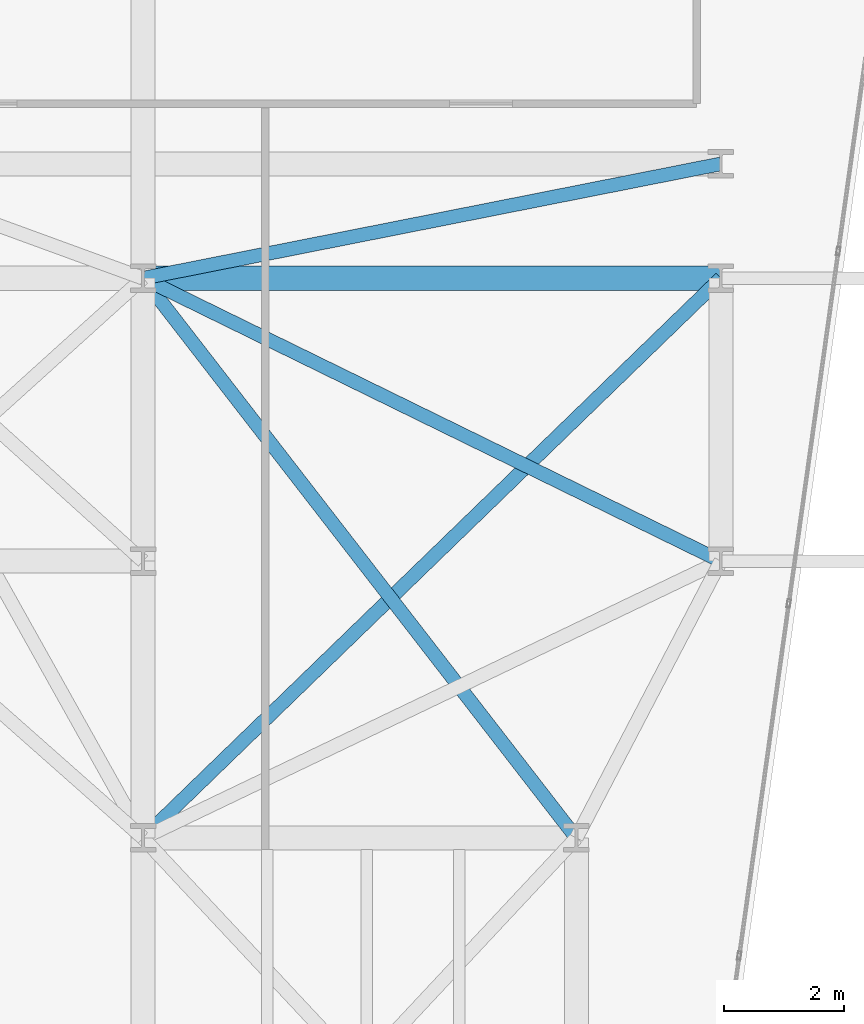
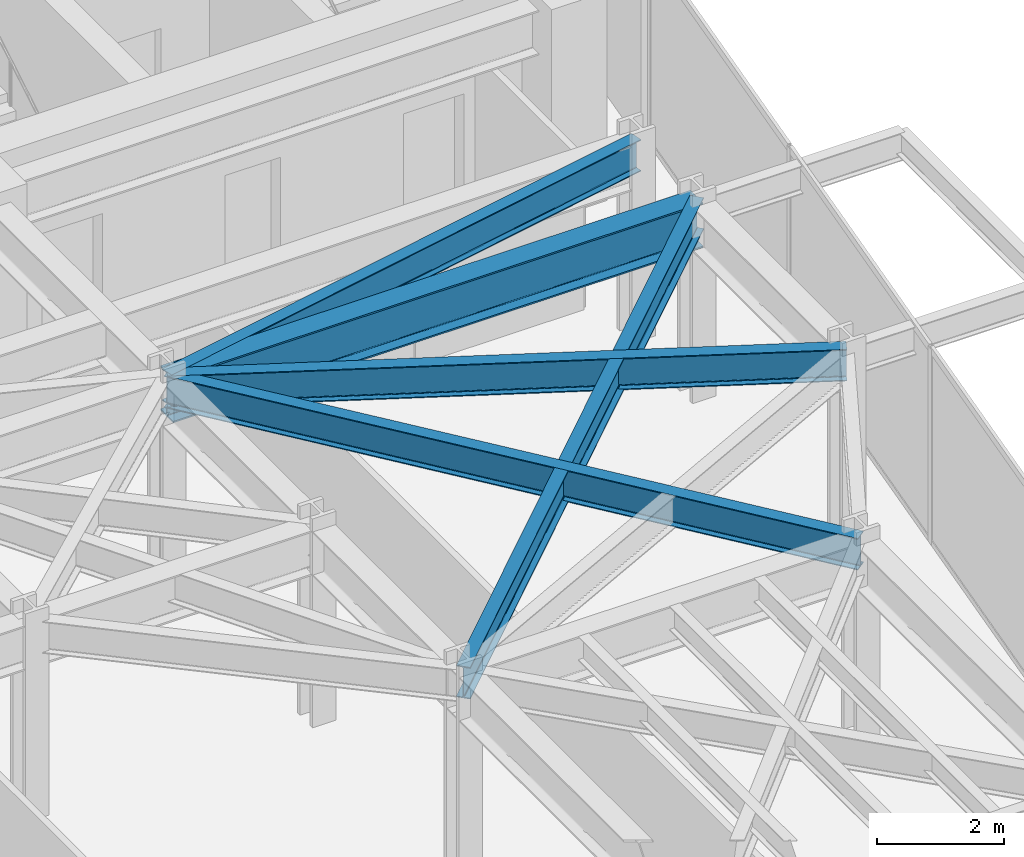
# One storey, part 15 of 24: 5 beams.
"""IFC4 building model written with IfcOpenShell, lengths in metres."""

from ifc_helpers import new_model, si_unit, direction, frame, origin, origin_2d, place, context, subcontext, project, spatial, i_section, extrude, material, material_profile, profile_set, type_object, element, save


model = new_model("IFC4")

# Units and contexts
model_context = context("Model", 3, precision=1e-05, world=origin(), true_north=direction((0.0, 1.0)))
body_context = subcontext(model_context, "Body", "Model", "MODEL_VIEW")
ifc_project = project(units=[si_unit("LENGTHUNIT", "METRE"), si_unit("AREAUNIT", "SQUARE_METRE"), si_unit("VOLUMEUNIT", "CUBIC_METRE"), si_unit("PLANEANGLEUNIT", "RADIAN"), si_unit("MASSUNIT", "GRAM", prefix="KILO")], contexts=[model_context])

# Site, building, storey
site_placement = place(None, origin())
site = spatial("IfcSite", under=ifc_project, at=site_placement, CompositionType="ELEMENT")
building_placement = place(site_placement, origin())
building = spatial("IfcBuilding", under=site, at=building_placement, Name="Kravanh Interchange Tower", CompositionType="ELEMENT")
storey_placement = place(building_placement, frame((0.0, 0.0, 96.0)))
storey = spatial("IfcBuildingStorey", under=building, at=storey_placement, Name="L22", CompositionType="ELEMENT", Elevation=96.0)

# Beams
ifc_material_1 = material(Name="Structural Steel S355", Category="steel")
ifc_material_profile_1 = material_profile(ifc_material_1, i_section(OverallWidth=0.39990234375, OverallDepth=0.85595703125, WebThickness=0.018310546875, FlangeThickness=0.029296875, FilletRadius=0.02490234375, at=origin_2d()), Name="W33X201")
ifc_profile_set_1 = profile_set([ifc_material_profile_1], Name="Structural Steel S355")
beam_type_1 = type_object("IfcBeamType", Name="Floor Beam W33X201 Structural Steel S355", PredefinedType="BEAM", material=ifc_profile_set_1)
beam_1_placement = place(storey_placement, frame((56.0, 31.5, 3.322021484375), z_axis=(1.0, 0.0, 0.0), x_axis=(0.0, 1.0, 0.0)))
element("IfcBeam", 1, at=beam_1_placement, inside=storey, type_object=beam_type_1, Name="L22 Primary Floor Girder 90", PredefinedType="BEAM", context=body_context, shape_type="SweptSolid", body=[
    extrude(i_section(OverallWidth=0.39990234375, OverallDepth=0.85595703125, WebThickness=0.018310546875, FlangeThickness=0.029296875, FilletRadius=0.02490234375, at=origin_2d()), origin(), (0.0, 0.0, 1.0), 9.60009765625),
])
ifc_material_2 = material(Name="Structural Steel S355", Category="steel")
ifc_material_profile_2 = material_profile(ifc_material_2, i_section(OverallWidth=0.22802734375, OverallDepth=0.60791015625, WebThickness=0.01123046875, FlangeThickness=0.017333984375, FilletRadius=0.02197265625, at=origin_2d()), Name="W24X76")
ifc_profile_set_2 = profile_set([ifc_material_profile_2], Name="Structural Steel S355")
beam_type_2 = type_object("IfcBeamType", Name="Floor Spandrel W24X76 Structural Steel S355", PredefinedType="SPANDREL", material=ifc_profile_set_2)
beam_2_placement = place(storey_placement, frame((65.60009765625, 26.800048828125, 3.446044921875), z_axis=(-0.898141688387, 0.439706160499, 0.0), x_axis=(-0.439706160499, -0.898141688387, 0.0)))
element("IfcBeam", 2, at=beam_2_placement, inside=storey, type_object=beam_type_2, Name="L22 Perimeter Spandrel 68", PredefinedType="SPANDREL", context=body_context, shape_type="SweptSolid", body=[
    extrude(i_section(OverallWidth=0.22802734375, OverallDepth=0.60791015625, WebThickness=0.01123046875, FlangeThickness=0.017333984375, FilletRadius=0.02197265625, at=origin_2d()), origin(), (0.0, 0.0, 1.0), 10.68896484375),
])
beam_3_placement = place(storey_placement, frame((56.0, 31.5, 3.446044921875), z_axis=(0.980974000807, 0.194139150457, 0.0), x_axis=(-0.194139150457, 0.980974000807, 0.0)))
element("IfcBeam", 3, at=beam_3_placement, inside=storey, type_object=beam_type_2, Name="L22 Perimeter Spandrel 91", PredefinedType="SPANDREL", context=body_context, shape_type="SweptSolid", body=[
    extrude(i_section(OverallWidth=0.22802734375, OverallDepth=0.60791015625, WebThickness=0.01123046875, FlangeThickness=0.017333984375, FilletRadius=0.02197265625, at=origin_2d()), origin(), (0.0, 0.0, 1.0), 9.786376953125),
])
beam_4_placement = place(storey_placement, frame((56.0, 31.5, 3.446044921875), z_axis=(0.612168587637, -0.790727273028, 0.0), x_axis=(0.790727273028, 0.612168587637, 0.0)))
element("IfcBeam", 4, at=beam_4_placement, inside=storey, type_object=beam_type_2, Name="L22 Perimeter Spandrel 92", PredefinedType="SPANDREL", context=body_context, shape_type="SweptSolid", body=[
    extrude(i_section(OverallWidth=0.22802734375, OverallDepth=0.60791015625, WebThickness=0.01123046875, FlangeThickness=0.017333984375, FilletRadius=0.02197265625, at=origin_2d()), origin(), (0.0, 0.0, 1.0), 11.761474609375),
])
beam_5_placement = place(storey_placement, frame((65.60009765625, 31.5, 3.446044921875), z_axis=(-0.718241934329, -0.695793449072, 0.0), x_axis=(0.695793449072, -0.718241934329, 0.0)))
element("IfcBeam", 5, at=beam_5_placement, inside=storey, type_object=beam_type_2, Name="L22 Perimeter Spandrel 94", PredefinedType="SPANDREL", context=body_context, shape_type="SweptSolid", body=[
    extrude(i_section(OverallWidth=0.22802734375, OverallDepth=0.60791015625, WebThickness=0.01123046875, FlangeThickness=0.017333984375, FilletRadius=0.02197265625, at=origin_2d()), origin(), (0.0, 0.0, 1.0), 13.3662109375),
])

save(model, "model.ifc")
